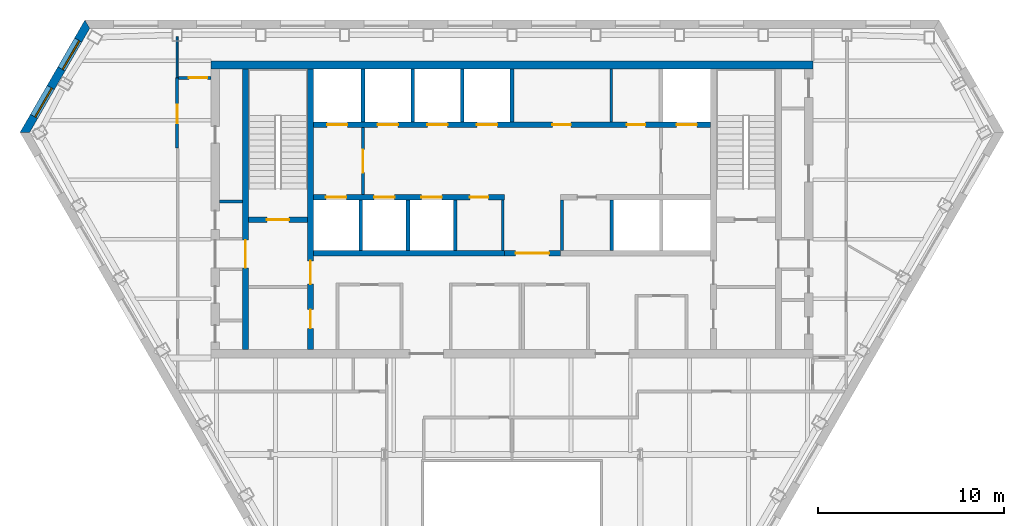
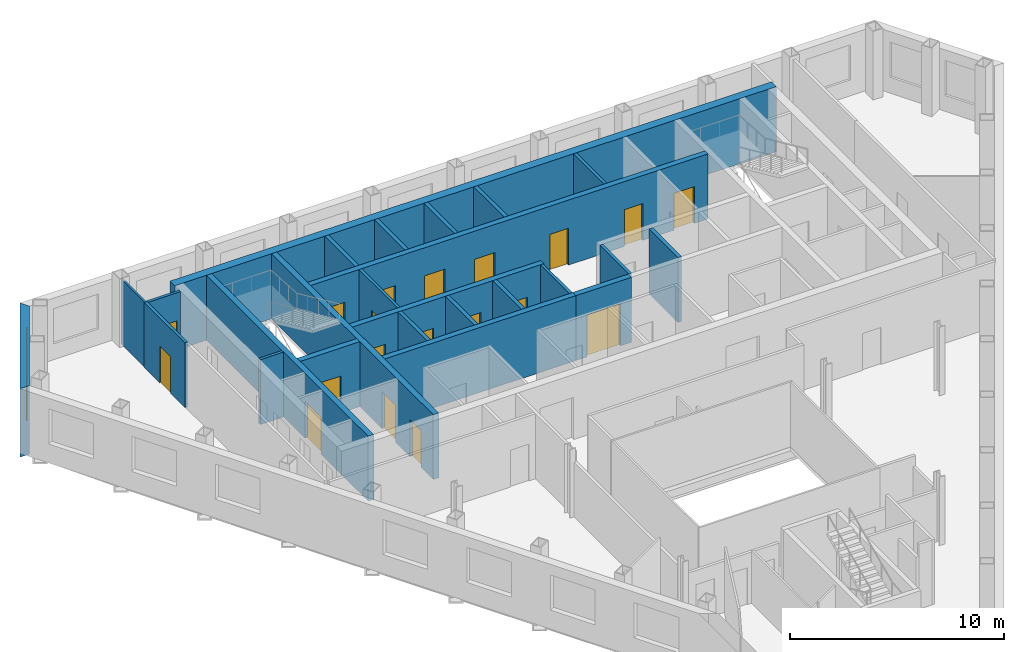
# One storey, part 6 of 11: 25 walls, 19 doors, 2 windows, 21 openings.
"""IFC4 building model written with IfcOpenShell, lengths in metres."""

from ifc_helpers import new_model, si_unit, direction, frame, frame_2d, origin, place, context, subcontext, project, spatial, polyline, rectangle, outline, extrude, material, layer, layer_set, type_object, element, fill, save


model = new_model("IFC4")

# Units and contexts
model_context = context("Model", 3, precision=1e-05, world=origin(), true_north=direction((0.0, 1.0)))
body_context = subcontext(model_context, "Body", "Model", "MODEL_VIEW")
ifc_project = project(units=[si_unit("LENGTHUNIT", "METRE"), si_unit("AREAUNIT", "SQUARE_METRE"), si_unit("VOLUMEUNIT", "CUBIC_METRE"), si_unit("PLANEANGLEUNIT", "RADIAN"), si_unit("MASSUNIT", "GRAM", prefix="KILO")], contexts=[model_context])

# Site, building, storey
site_placement = place(None, origin())
site = spatial("IfcSite", under=ifc_project, at=site_placement, CompositionType="ELEMENT")
building_placement = place(site_placement, origin())
building = spatial("IfcBuilding", under=site, at=building_placement, Name="Njiva Tower", CompositionType="ELEMENT")
storey_placement = place(building_placement, frame((0.0, 0.0, 216.0)))
storey = spatial("IfcBuildingStorey", under=building, at=storey_placement, Name="L48", CompositionType="ELEMENT", Elevation=216.0)

# Walls
ifc_material_1 = material(Name="Blockwork", Category="masonry")
ifc_layer_1 = layer(ifc_material_1, 0.15)
ifc_layer_set_1 = layer_set([ifc_layer_1], Name="Blockwork")
wall_type_1 = type_object("IfcWallType", Name="WT1 Compartment partition 150", PredefinedType="PARTITIONING", material=ifc_layer_set_1)
wall_1_placement = place(storey_placement, frame((5.35, 14.7, 0.0), z_axis=(0.0, 0.0, 1.0), x_axis=(0.0, 1.0, 0.0)))
element("IfcWall", 1, at=wall_1_placement, inside=storey, type_object=wall_type_1, Name="Partition CN6", PredefinedType="PARTITIONING", context=body_context, shape_type="SweptSolid", body=[
    extrude(rectangle(XDim=2.85, YDim=0.15, at=frame_2d((1.425, 0.0))), origin(), (0.0, 0.0, 1.0), 3.7),
])
for number, where, z_axis, x_axis, name in (
    (2, (-0.5, 7.8, 0.0), (0.0, 0.0, 1.0), (0.0, 1.0, 0.0), "Partition CS4"),
    (3, (2.7, 7.8, 0.0), (0.0, 0.0, 1.0), (0.0, 1.0, 0.0), "Partition CS5"),
):
    element("IfcWall", number, at=place(storey_placement, frame(where, z_axis=z_axis, x_axis=x_axis)), inside=storey, type_object=wall_type_1, Name=name, PredefinedType="PARTITIONING", context=body_context, shape_type="SweptSolid", body=[
        extrude(rectangle(XDim=2.7, YDim=0.15, at=frame_2d((1.35, 0.0))), origin(), (0.0, 0.0, 1.0), 3.7),
    ])
wall_2_placement = place(storey_placement, frame((-15.75, 10.4244, 0.0), z_axis=(0.0, 0.0, 1.0), x_axis=(1.0, 0.0, 0.0)))
element("IfcWall", 4, at=wall_2_placement, inside=storey, type_object=wall_type_1, Name="Partition strip W10", PredefinedType="PARTITIONING", context=body_context, shape_type="SweptSolid", body=[
    extrude(rectangle(XDim=1.25, YDim=0.15, at=frame_2d((0.625, 0.0))), origin(), (0.0, 0.0, 1.0), 3.7),
])

# Wall, openings, doors
ifc_material_2 = material(Name="Concrete C40/50", Category="concrete")
ifc_layer_2 = layer(ifc_material_2, 0.3)
ifc_layer_set_2 = layer_set([ifc_layer_2], Name="Concrete C40/50")
wall_type_2 = type_object("IfcWallType", Name="WT10 Stair enclosure wall 300", PredefinedType="SHEAR", material=ifc_layer_set_2)
wall_3_placement = place(storey_placement, frame((-10.85, 2.45, 0.0), z_axis=(0.0, 0.0, 1.0), x_axis=(0.0, 1.0, 0.0)))
wall_3 = element("IfcWall", 5, at=wall_3_placement, inside=storey, type_object=wall_type_2, Name="Stair wall west inner", PredefinedType="SHEAR", context=body_context, shape_type="SweptSolid", body=[
    extrude(rectangle(XDim=15.1, YDim=0.3, at=frame_2d((7.55, 0.0))), origin(), (0.0, 0.0, 1.0), 3.7),
])
opening_1_placement = place(wall_3_placement, frame((3.525, 0.0, 0.0)))
opening_1 = element("IfcOpeningElement", 6, at=opening_1_placement, cuts=wall_3, Name="Opening S16-D915", PredefinedType="OPENING", context=body_context, shape_type="SweptSolid", body=[
    extrude(rectangle(XDim=1.25, YDim=2.1, at=frame_2d((0.625, 1.05))), frame((0.0, 0.16, 0.0), z_axis=(0.0, -1.0, 0.0), x_axis=(1.0, 0.0, 0.0)), (0.0, 0.0, 1.0), 0.32),
])
opening_2_placement = place(wall_3_placement, frame((1.15, 0.0, 0.0)))
opening_2 = element("IfcOpeningElement", 7, at=opening_2_placement, cuts=wall_3, Name="Opening S16-D916", PredefinedType="OPENING", context=body_context, shape_type="SweptSolid", body=[
    extrude(rectangle(XDim=1.0, YDim=2.1, at=frame_2d((0.5, 1.05))), frame((0.0, 0.16, 0.0), z_axis=(0.0, -1.0, 0.0), x_axis=(1.0, 0.0, 0.0)), (0.0, 0.0, 1.0), 0.32),
])
ifc_material_3 = material(Name="Steel door, painted", Category="steel")
door_type_1 = type_object("IfcDoorType", Name="D5 Steel door 1000x2100", OperationType="SINGLE_SWING_LEFT", PredefinedType="DOOR", material=ifc_material_3)
door_1_placement = place(opening_2_placement, origin())
door_1 = element("IfcDoor", 8, at=door_1_placement, inside=storey, type_object=door_type_1, Name="First aid room door", OperationType="SINGLE_SWING_RIGHT", OverallHeight=2.1, OverallWidth=1.0, PredefinedType="DOOR", context=body_context, shape_type="SweptSolid", body=[
    extrude(rectangle(XDim=1.0, YDim=2.1, at=frame_2d((0.5, 1.05))), frame((0.0, 0.025, 0.0), z_axis=(0.0, -1.0, 0.0), x_axis=(1.0, 0.0, 0.0)), (0.0, 0.0, 1.0), 0.05),
])
fill(opening_2, door_1)
ifc_material_4 = material(Name="Glazed steel fire door", Category="steel")
door_type_2 = type_object("IfcDoorType", Name="D8 Vestibule corridor door 1250x2100 glazed", OperationType="SINGLE_SWING_LEFT", PredefinedType="DOOR", material=ifc_material_4)
door_2_placement = place(opening_1_placement, origin())
door_2 = element("IfcDoor", 9, at=door_2_placement, inside=storey, type_object=door_type_2, Name="Stair vestibule corridor door", OperationType="SINGLE_SWING_LEFT", OverallHeight=2.1, OverallWidth=1.25, PredefinedType="DOOR", context=body_context, shape_type="SweptSolid", body=[
    extrude(rectangle(XDim=1.25, YDim=2.1, at=frame_2d((0.625, 1.05))), frame((0.0, 0.025, 0.0), z_axis=(0.0, -1.0, 0.0), x_axis=(1.0, 0.0, 0.0)), (0.0, 0.0, 1.0), 0.05),
])
fill(opening_1, door_2)

# Wall, opening, door
wall_4_placement = place(storey_placement, frame((-14.35, 2.45, 0.0), z_axis=(0.0, 0.0, 1.0), x_axis=(0.0, 1.0, 0.0)))
wall_4 = element("IfcWall", 10, at=wall_4_placement, inside=storey, type_object=wall_type_2, Name="Stair wall west outer", PredefinedType="SHEAR", context=body_context, shape_type="SweptSolid", body=[
    extrude(rectangle(XDim=15.1, YDim=0.3, at=frame_2d((7.55, 0.0))), origin(), (0.0, 0.0, 1.0), 3.7),
])
opening_3_placement = place(wall_4_placement, frame((4.4, 0.0, 0.0)))
opening_3 = element("IfcOpeningElement", 11, at=opening_3_placement, cuts=wall_4, Name="Opening S16-D921", PredefinedType="OPENING", context=body_context, shape_type="SweptSolid", body=[
    extrude(rectangle(XDim=1.5, YDim=2.1, at=frame_2d((0.75, 1.05))), frame((0.0, 0.16, 0.0), z_axis=(0.0, -1.0, 0.0), x_axis=(1.0, 0.0, 0.0)), (0.0, 0.0, 1.0), 0.32),
])
door_type_3 = type_object("IfcDoorType", Name="D10 Exit door double 1500x2100 glazed", OperationType="DOUBLE_DOOR_SINGLE_SWING", PredefinedType="DOOR", material=ifc_material_4)
door_3_placement = place(opening_3_placement, origin())
door_3 = element("IfcDoor", 12, at=door_3_placement, inside=storey, type_object=door_type_3, Name="Stair A passage door", OperationType="DOUBLE_DOOR_SINGLE_SWING", OverallHeight=2.1, OverallWidth=1.5, PredefinedType="DOOR", context=body_context, shape_type="SweptSolid", body=[
    extrude(rectangle(XDim=1.5, YDim=2.1, at=frame_2d((0.75, 1.05))), frame((0.0, 0.025, 0.0), z_axis=(0.0, -1.0, 0.0), x_axis=(1.0, 0.0, 0.0)), (0.0, 0.0, 1.0), 0.05),
])
fill(opening_3, door_3)

wall_5_placement = place(storey_placement, frame((-14.2, 9.45, 0.0), z_axis=(0.0, 0.0, 1.0), x_axis=(1.0, 0.0, 0.0)))
wall_5 = element("IfcWall", 13, at=wall_5_placement, inside=storey, type_object=wall_type_2, Name="Stair A south wall", PredefinedType="SHEAR", context=body_context, shape_type="SweptSolid", body=[
    extrude(rectangle(XDim=3.2, YDim=0.3, at=frame_2d((1.6, 0.0))), origin(), (0.0, 0.0, 1.0), 3.7),
])
opening_4_placement = place(wall_5_placement, frame((1.0, 0.0, 0.0)))
opening_4 = element("IfcOpeningElement", 14, at=opening_4_placement, cuts=wall_5, Name="Opening S16-D914", PredefinedType="OPENING", context=body_context, shape_type="SweptSolid", body=[
    extrude(rectangle(XDim=1.2, YDim=2.1, at=frame_2d((0.6, 1.05))), frame((0.0, 0.16, 0.0), z_axis=(0.0, -1.0, 0.0), x_axis=(1.0, 0.0, 0.0)), (0.0, 0.0, 1.0), 0.32),
])
door_type_4 = type_object("IfcDoorType", Name="D7 Stair vestibule door 1200x2100 glazed", OperationType="SINGLE_SWING_LEFT", PredefinedType="DOOR", material=ifc_material_4)
door_4_placement = place(opening_4_placement, origin())
door_4 = element("IfcDoor", 15, at=door_4_placement, inside=storey, type_object=door_type_4, Name="Stair A door", OperationType="SINGLE_SWING_LEFT", OverallHeight=2.1, OverallWidth=1.2, PredefinedType="DOOR", context=body_context, shape_type="SweptSolid", body=[
    extrude(rectangle(XDim=1.2, YDim=2.1, at=frame_2d((0.6, 1.05))), frame((0.0, 0.025, 0.0), z_axis=(0.0, -1.0, 0.0), x_axis=(1.0, 0.0, 0.0)), (0.0, 0.0, 1.0), 0.05),
])
fill(opening_4, door_4)

# Wall
ifc_material_5 = material(Name="Concrete C60/75", Category="concrete")
ifc_layer_3 = layer(ifc_material_5, 0.45)
ifc_layer_set_3 = layer_set([ifc_layer_3], Name="Concrete C60/75")
wall_type_3 = type_object("IfcWallType", Name="WT12 Core wall 450", PredefinedType="SHEAR", material=ifc_layer_set_3)
wall_6_placement = place(storey_placement, frame((-16.2, 17.775, 0.0), z_axis=(0.0, 0.0, 1.0), x_axis=(1.0, 0.0, 0.0)))
element("IfcWall", 16, at=wall_6_placement, inside=storey, type_object=wall_type_3, Name="Core wall north", PredefinedType="SHEAR", context=body_context, shape_type="SweptSolid", body=[
    extrude(rectangle(XDim=32.4, YDim=0.45, at=frame_2d((16.2, 0.0))), origin(), (0.0, 0.0, 1.0), 3.7),
])

# Wall, opening, door
ifc_layer_4 = layer(ifc_material_1, 0.15)
ifc_layer_set_4 = layer_set([ifc_layer_4], Name="Blockwork")
wall_type_4 = type_object("IfcWallType", Name="WT2 Lobby partition 150", PredefinedType="PARTITIONING", material=ifc_layer_set_4)
wall_7_placement = place(storey_placement, frame((-8.025, 10.8, 0.0), z_axis=(0.0, 0.0, 1.0), x_axis=(0.0, 1.0, 0.0)))
wall_7 = element("IfcWall", 17, at=wall_7_placement, inside=storey, type_object=wall_type_4, Name="Firefighting lobby wall A", PredefinedType="PARTITIONING", context=body_context, shape_type="SweptSolid", body=[
    extrude(rectangle(XDim=3.6, YDim=0.15, at=frame_2d((1.8, 0.0))), origin(), (0.0, 0.0, 1.0), 3.7),
])
opening_5_placement = place(wall_7_placement, frame((1.175, 0.0, 0.0)))
opening_5 = element("IfcOpeningElement", 18, at=opening_5_placement, cuts=wall_7, Name="Opening S16-D913", PredefinedType="OPENING", context=body_context, shape_type="SweptSolid", body=[
    extrude(rectangle(XDim=1.25, YDim=2.1, at=frame_2d((0.625, 1.05))), frame((0.0, 0.085, 0.0), z_axis=(0.0, -1.0, 0.0), x_axis=(1.0, 0.0, 0.0)), (0.0, 0.0, 1.0), 0.17),
])
door_5_placement = place(opening_5_placement, origin())
door_5 = element("IfcDoor", 19, at=door_5_placement, inside=storey, type_object=door_type_2, Name="Stair vestibule corridor door", OperationType="SINGLE_SWING_RIGHT", OverallHeight=2.1, OverallWidth=1.25, PredefinedType="DOOR", context=body_context, shape_type="SweptSolid", body=[
    extrude(rectangle(XDim=1.25, YDim=2.1, at=frame_2d((0.625, 1.05))), frame((0.0, 0.025, 0.0), z_axis=(0.0, -1.0, 0.0), x_axis=(1.0, 0.0, 0.0)), (0.0, 0.0, 1.0), 0.05),
])
fill(opening_5, door_5)

# Wall
ifc_material_6 = material(Name="Gypsum board on steel studs", Category="gypsum")
ifc_layer_5 = layer(ifc_material_6, 0.1)
ifc_layer_set_5 = layer_set([ifc_layer_5], Name="Gypsum board on steel studs")
wall_type_5 = type_object("IfcWallType", Name="WT20 Gypsum partition 100", PredefinedType="PARTITIONING", material=ifc_layer_set_5)
wall_8_placement = place(storey_placement, frame((-18.034, 17.091, 0.0), z_axis=(0.0, 0.0, 1.0), x_axis=(0.0, 1.0, 0.0)))
element("IfcWall", 20, at=wall_8_placement, inside=storey, type_object=wall_type_5, Name="Partition S16-P002", PredefinedType="PARTITIONING", context=body_context, shape_type="SweptSolid", body=[
    extrude(rectangle(XDim=2.209, YDim=0.1, at=frame_2d((1.1045, 0.0))), origin(), (0.0, 0.0, 1.0), 3.7),
])

# Wall, opening, door
ifc_layer_6 = layer(ifc_material_6, 0.15)
ifc_layer_set_6 = layer_set([ifc_layer_6], Name="Gypsum board on steel studs")
wall_type_6 = type_object("IfcWallType", Name="WT21 Compartment wall 150", PredefinedType="PARTITIONING", material=ifc_layer_set_6)
wall_9_placement = place(storey_placement, frame((-18.034, 13.3, 0.0), z_axis=(0.0, 0.0, 1.0), x_axis=(0.0, 1.0, 0.0)))
wall_9 = element("IfcWall", 21, at=wall_9_placement, inside=storey, type_object=wall_type_6, Name="Partition S16-P001", PredefinedType="PARTITIONING", context=body_context, shape_type="SweptSolid", body=[
    extrude(rectangle(XDim=3.791, YDim=0.15, at=frame_2d((1.8955, 0.0))), origin(), (0.0, 0.0, 1.0), 3.7),
])
opening_6_placement = place(wall_9_placement, frame((1.344, 0.0, 0.0)))
opening_6 = element("IfcOpeningElement", 22, at=opening_6_placement, cuts=wall_9, Name="Opening S16-D001", PredefinedType="OPENING", context=body_context, shape_type="SweptSolid", body=[
    extrude(rectangle(XDim=1.0, YDim=2.1, at=frame_2d((0.5, 1.05))), frame((0.0, 0.085, 0.0), z_axis=(0.0, -1.0, 0.0), x_axis=(1.0, 0.0, 0.0)), (0.0, 0.0, 1.0), 0.17),
])
ifc_material_7 = material(Name="Steel fire door set", Category="steel")
door_type_5 = type_object("IfcDoorType", Name="D37 Fire door 1000x2100", OperationType="SINGLE_SWING_LEFT", PredefinedType="DOOR", material=ifc_material_7)
door_6_placement = place(opening_6_placement, origin())
door_6 = element("IfcDoor", 23, at=door_6_placement, inside=storey, type_object=door_type_5, Name="Door S16-D001", OperationType="SINGLE_SWING_RIGHT", OverallHeight=2.1, OverallWidth=1.0, PredefinedType="DOOR", context=body_context, shape_type="SweptSolid", body=[
    extrude(rectangle(XDim=1.0, YDim=2.1, at=frame_2d((0.5, 1.05))), frame((0.0, 0.025, 0.0), z_axis=(0.0, -1.0, 0.0), x_axis=(1.0, 0.0, 0.0)), (0.0, 0.0, 1.0), 0.05),
])
fill(opening_6, door_6)

wall_10_placement = place(storey_placement, frame((-17.959, 17.079, 0.0), z_axis=(0.0, 0.0, 1.0), x_axis=(1.0, 0.0, 0.0)))
wall_10 = element("IfcWall", 24, at=wall_10_placement, inside=storey, type_object=wall_type_6, Name="Partition S16-P004", PredefinedType="PARTITIONING", context=body_context, shape_type="SweptSolid", body=[
    extrude(rectangle(XDim=1.759, YDim=0.15, at=frame_2d((0.8795, 0.0))), origin(), (0.0, 0.0, 1.0), 3.7),
])
opening_7_placement = place(wall_10_placement, frame((0.559, 0.0, 0.0)))
opening_7 = element("IfcOpeningElement", 25, at=opening_7_placement, cuts=wall_10, Name="Opening S16-D003", PredefinedType="OPENING", context=body_context, shape_type="SweptSolid", body=[
    extrude(rectangle(XDim=1.0, YDim=2.1, at=frame_2d((0.5, 1.05))), frame((0.0, 0.085, 0.0), z_axis=(0.0, -1.0, 0.0), x_axis=(1.0, 0.0, 0.0)), (0.0, 0.0, 1.0), 0.17),
])
door_7_placement = place(opening_7_placement, origin())
door_7 = element("IfcDoor", 26, at=door_7_placement, inside=storey, type_object=door_type_5, Name="Door S16-D003", OperationType="SINGLE_SWING_LEFT", OverallHeight=2.1, OverallWidth=1.0, PredefinedType="DOOR", context=body_context, shape_type="SweptSolid", body=[
    extrude(rectangle(XDim=1.0, YDim=2.1, at=frame_2d((0.5, 1.05))), frame((0.0, 0.025, 0.0), z_axis=(0.0, -1.0, 0.0), x_axis=(1.0, 0.0, 0.0)), (0.0, 0.0, 1.0), 0.05),
])
fill(opening_7, door_7)

ifc_layer_7 = layer(ifc_material_1, 0.3)
ifc_layer_set_7 = layer_set([ifc_layer_7], Name="Blockwork")
wall_type_7 = type_object("IfcWallType", Name="WT5 Lobby partition 300", PredefinedType="PARTITIONING", material=ifc_layer_set_7)
wall_11_placement = place(storey_placement, frame((-0.4, 7.65, 0.0), z_axis=(0.0, 0.0, 1.0), x_axis=(1.0, 0.0, 0.0)))
wall_11 = element("IfcWall", 27, at=wall_11_placement, inside=storey, type_object=wall_type_7, Name="Lift lobby screen wall", PredefinedType="PARTITIONING", context=body_context, shape_type="SweptSolid", body=[
    extrude(rectangle(XDim=3.0, YDim=0.3, at=frame_2d((1.5, 0.0))), origin(), (0.0, 0.0, 1.0), 3.7),
])
opening_8_placement = place(wall_11_placement, frame((0.6, 0.0, 0.0)))
opening_8 = element("IfcOpeningElement", 28, at=opening_8_placement, cuts=wall_11, Name="Opening S16-D937", PredefinedType="OPENING", context=body_context, shape_type="SweptSolid", body=[
    extrude(rectangle(XDim=1.8, YDim=2.4, at=frame_2d((0.9, 1.2))), frame((0.0, 0.16, 0.0), z_axis=(0.0, -1.0, 0.0), x_axis=(1.0, 0.0, 0.0)), (0.0, 0.0, 1.0), 0.32),
])
ifc_material_8 = material(Name="Steel and glass door", Category="steel")
door_type_6 = type_object("IfcDoorType", Name="D3 Core entrance door 1800x2400", OperationType="DOUBLE_DOOR_SINGLE_SWING", PredefinedType="DOOR", material=ifc_material_8)
door_8_placement = place(opening_8_placement, origin())
door_8 = element("IfcDoor", 29, at=door_8_placement, inside=storey, type_object=door_type_6, Name="Core entrance door", OperationType="DOUBLE_DOOR_SINGLE_SWING", OverallHeight=2.4, OverallWidth=1.8, PredefinedType="DOOR", context=body_context, shape_type="SweptSolid", body=[
    extrude(rectangle(XDim=1.8, YDim=2.4, at=frame_2d((0.9, 1.2))), frame((0.0, 0.025, 0.0), z_axis=(0.0, -1.0, 0.0), x_axis=(1.0, 0.0, 0.0)), (0.0, 0.0, 1.0), 0.05),
])
fill(opening_8, door_8)

# Walls
ifc_layer_8 = layer(ifc_material_2, 0.2)
ifc_layer_set_8 = layer_set([ifc_layer_8], Name="Concrete C40/50")
wall_type_8 = type_object("IfcWallType", Name="WT6 Lift shaft wall 200", PredefinedType="SHEAR", material=ifc_layer_set_8)
for number, where, z_axis, x_axis, name in (
    (30, (-8.025, 14.7, 0.0), (0.0, 0.0, 1.0), (0.0, 1.0, 0.0), "Shaft wall CN1"),
    (31, (-5.35, 14.7, 0.0), (0.0, 0.0, 1.0), (0.0, 1.0, 0.0), "Shaft wall CN2"),
    (32, (-2.675, 14.7, 0.0), (0.0, 0.0, 1.0), (0.0, 1.0, 0.0), "Shaft wall CN3"),
    (33, (0.0, 14.7, 0.0), (0.0, 0.0, 1.0), (0.0, 1.0, 0.0), "Shaft wall CN4"),
):
    element("IfcWall", number, at=place(storey_placement, frame(where, z_axis=z_axis, x_axis=x_axis)), inside=storey, type_object=wall_type_8, Name=name, PredefinedType="SHEAR", context=body_context, shape_type="SweptSolid", body=[
        extrude(rectangle(XDim=2.85, YDim=0.2, at=frame_2d((1.425, 0.0))), origin(), (0.0, 0.0, 1.0), 3.7),
    ])
for number, where, z_axis, x_axis, name in (
    (34, (-8.15, 7.8, 0.0), (0.0, 0.0, 1.0), (0.0, 1.0, 0.0), "Shaft wall CS1"),
    (35, (-5.6, 7.8, 0.0), (0.0, 0.0, 1.0), (0.0, 1.0, 0.0), "Shaft wall CS2"),
    (36, (-3.05, 7.8, 0.0), (0.0, 0.0, 1.0), (0.0, 1.0, 0.0), "Shaft wall CS3"),
    (37, (5.3667, 7.8, 0.0), (0.0, 0.0, 1.0), (0.0, 1.0, 0.0), "Shaft wall CS6"),
):
    element("IfcWall", number, at=place(storey_placement, frame(where, z_axis=z_axis, x_axis=x_axis)), inside=storey, type_object=wall_type_8, Name=name, PredefinedType="SHEAR", context=body_context, shape_type="SweptSolid", body=[
        extrude(rectangle(XDim=2.7, YDim=0.2, at=frame_2d((1.35, 0.0))), origin(), (0.0, 0.0, 1.0), 3.7),
    ])

# Wall, openings, doors
ifc_layer_9 = layer(ifc_material_2, 0.3)
ifc_layer_set_9 = layer_set([ifc_layer_9], Name="Concrete C40/50")
wall_type_9 = type_object("IfcWallType", Name="WT7 Lift shaft wall 300", PredefinedType="SHEAR", material=ifc_layer_set_9)
wall_12_placement = place(storey_placement, frame((-10.7, 14.55, 0.0), z_axis=(0.0, 0.0, 1.0), x_axis=(1.0, 0.0, 0.0)))
wall_12 = element("IfcWall", 38, at=wall_12_placement, inside=storey, type_object=wall_type_9, Name="Shaft wall north row lobby side", PredefinedType="SHEAR", context=body_context, shape_type="SweptSolid", body=[
    extrude(rectangle(XDim=21.4, YDim=0.3, at=frame_2d((10.7, 0.0))), origin(), (0.0, 0.0, 1.0), 3.7),
])
opening_9_placement = place(wall_12_placement, frame((0.7375, 0.0, 0.0)))
opening_9 = element("IfcOpeningElement", 39, at=opening_9_placement, cuts=wall_12, Name="Opening S16-D901", PredefinedType="OPENING", context=body_context, shape_type="SweptSolid", body=[
    extrude(rectangle(XDim=1.1, YDim=2.1, at=frame_2d((0.55, 1.05))), frame((0.0, 0.16, 0.0), z_axis=(0.0, -1.0, 0.0), x_axis=(1.0, 0.0, 0.0)), (0.0, 0.0, 1.0), 0.32),
])
opening_10_placement = place(wall_12_placement, frame((3.4625, 0.0, 0.0)))
opening_10 = element("IfcOpeningElement", 40, at=opening_10_placement, cuts=wall_12, Name="Opening S16-D902", PredefinedType="OPENING", context=body_context, shape_type="SweptSolid", body=[
    extrude(rectangle(XDim=1.1, YDim=2.1, at=frame_2d((0.55, 1.05))), frame((0.0, 0.16, 0.0), z_axis=(0.0, -1.0, 0.0), x_axis=(1.0, 0.0, 0.0)), (0.0, 0.0, 1.0), 0.32),
])
opening_11_placement = place(wall_12_placement, frame((6.1375, 0.0, 0.0)))
opening_11 = element("IfcOpeningElement", 41, at=opening_11_placement, cuts=wall_12, Name="Opening S16-D903", PredefinedType="OPENING", context=body_context, shape_type="SweptSolid", body=[
    extrude(rectangle(XDim=1.1, YDim=2.1, at=frame_2d((0.55, 1.05))), frame((0.0, 0.16, 0.0), z_axis=(0.0, -1.0, 0.0), x_axis=(1.0, 0.0, 0.0)), (0.0, 0.0, 1.0), 0.32),
])
opening_12_placement = place(wall_12_placement, frame((8.8125, 0.0, 0.0)))
opening_12 = element("IfcOpeningElement", 42, at=opening_12_placement, cuts=wall_12, Name="Opening S16-D904", PredefinedType="OPENING", context=body_context, shape_type="SweptSolid", body=[
    extrude(rectangle(XDim=1.1, YDim=2.1, at=frame_2d((0.55, 1.05))), frame((0.0, 0.16, 0.0), z_axis=(0.0, -1.0, 0.0), x_axis=(1.0, 0.0, 0.0)), (0.0, 0.0, 1.0), 0.32),
])
opening_13_placement = place(wall_12_placement, frame((19.5625, 0.0, 0.0)))
opening_13 = element("IfcOpeningElement", 43, at=opening_13_placement, cuts=wall_12, Name="Opening S16-D905", PredefinedType="OPENING", context=body_context, shape_type="SweptSolid", body=[
    extrude(rectangle(XDim=1.1, YDim=2.1, at=frame_2d((0.55, 1.05))), frame((0.0, 0.16, 0.0), z_axis=(0.0, -1.0, 0.0), x_axis=(1.0, 0.0, 0.0)), (0.0, 0.0, 1.0), 0.32),
])
opening_14_placement = place(wall_12_placement, frame((12.875, 0.0, 0.0)))
opening_14 = element("IfcOpeningElement", 44, at=opening_14_placement, cuts=wall_12, Name="Opening S16-D909", PredefinedType="OPENING", context=body_context, shape_type="SweptSolid", body=[
    extrude(rectangle(XDim=1.0, YDim=2.1, at=frame_2d((0.5, 1.05))), frame((0.0, 0.16, 0.0), z_axis=(0.0, -1.0, 0.0), x_axis=(1.0, 0.0, 0.0)), (0.0, 0.0, 1.0), 0.32),
])
opening_15_placement = place(wall_12_placement, frame((16.8875, 0.0, 0.0)))
opening_15 = element("IfcOpeningElement", 45, at=opening_15_placement, cuts=wall_12, Name="Opening S16-D910", PredefinedType="OPENING", context=body_context, shape_type="SweptSolid", body=[
    extrude(rectangle(XDim=1.0, YDim=2.1, at=frame_2d((0.5, 1.05))), frame((0.0, 0.16, 0.0), z_axis=(0.0, -1.0, 0.0), x_axis=(1.0, 0.0, 0.0)), (0.0, 0.0, 1.0), 0.32),
])
door_9_placement = place(opening_14_placement, origin())
door_9 = element("IfcDoor", 46, at=door_9_placement, inside=storey, type_object=door_type_1, Name="Reading room door", OperationType="SINGLE_SWING_LEFT", OverallHeight=2.1, OverallWidth=1.0, PredefinedType="DOOR", context=body_context, shape_type="SweptSolid", body=[
    extrude(rectangle(XDim=1.0, YDim=2.1, at=frame_2d((0.5, 1.05))), frame((0.0, 0.025, 0.0), z_axis=(0.0, -1.0, 0.0), x_axis=(1.0, 0.0, 0.0)), (0.0, 0.0, 1.0), 0.05),
])
fill(opening_14, door_9)
door_10_placement = place(opening_15_placement, origin())
door_10 = element("IfcDoor", 47, at=door_10_placement, inside=storey, type_object=door_type_1, Name="Business centre door", OperationType="SINGLE_SWING_LEFT", OverallHeight=2.1, OverallWidth=1.0, PredefinedType="DOOR", context=body_context, shape_type="SweptSolid", body=[
    extrude(rectangle(XDim=1.0, YDim=2.1, at=frame_2d((0.5, 1.05))), frame((0.0, 0.025, 0.0), z_axis=(0.0, -1.0, 0.0), x_axis=(1.0, 0.0, 0.0)), (0.0, 0.0, 1.0), 0.05),
])
fill(opening_15, door_10)
ifc_material_9 = material(Name="Stainless steel sliding door", Category="steel")
door_type_7 = type_object("IfcDoorType", Name="LD Lift landing door 1100x2100", OperationType="SLIDING_TO_LEFT", PredefinedType="DOOR", material=ifc_material_9)
door_11_placement = place(opening_9_placement, origin())
door_11 = element("IfcDoor", 48, at=door_11_placement, inside=storey, type_object=door_type_7, Name="Lift landing door FF1", OperationType="SLIDING_TO_LEFT", OverallHeight=2.1, OverallWidth=1.1, PredefinedType="DOOR", context=body_context, shape_type="SweptSolid", body=[
    extrude(rectangle(XDim=1.1, YDim=2.1, at=frame_2d((0.55, 1.05))), frame((0.0, 0.025, 0.0), z_axis=(0.0, -1.0, 0.0), x_axis=(1.0, 0.0, 0.0)), (0.0, 0.0, 1.0), 0.05),
])
fill(opening_9, door_11)
door_12_placement = place(opening_10_placement, origin())
door_12 = element("IfcDoor", 49, at=door_12_placement, inside=storey, type_object=door_type_7, Name="Lift landing door MB4", OperationType="SLIDING_TO_LEFT", OverallHeight=2.1, OverallWidth=1.1, PredefinedType="DOOR", context=body_context, shape_type="SweptSolid", body=[
    extrude(rectangle(XDim=1.1, YDim=2.1, at=frame_2d((0.55, 1.05))), frame((0.0, 0.025, 0.0), z_axis=(0.0, -1.0, 0.0), x_axis=(1.0, 0.0, 0.0)), (0.0, 0.0, 1.0), 0.05),
])
fill(opening_10, door_12)
door_13_placement = place(opening_11_placement, origin())
door_13 = element("IfcDoor", 50, at=door_13_placement, inside=storey, type_object=door_type_7, Name="Lift landing door MB5", OperationType="SLIDING_TO_LEFT", OverallHeight=2.1, OverallWidth=1.1, PredefinedType="DOOR", context=body_context, shape_type="SweptSolid", body=[
    extrude(rectangle(XDim=1.1, YDim=2.1, at=frame_2d((0.55, 1.05))), frame((0.0, 0.025, 0.0), z_axis=(0.0, -1.0, 0.0), x_axis=(1.0, 0.0, 0.0)), (0.0, 0.0, 1.0), 0.05),
])
fill(opening_11, door_13)
door_14_placement = place(opening_12_placement, origin())
door_14 = element("IfcDoor", 51, at=door_14_placement, inside=storey, type_object=door_type_7, Name="Lift landing door MB6", OperationType="SLIDING_TO_LEFT", OverallHeight=2.1, OverallWidth=1.1, PredefinedType="DOOR", context=body_context, shape_type="SweptSolid", body=[
    extrude(rectangle(XDim=1.1, YDim=2.1, at=frame_2d((0.55, 1.05))), frame((0.0, 0.025, 0.0), z_axis=(0.0, -1.0, 0.0), x_axis=(1.0, 0.0, 0.0)), (0.0, 0.0, 1.0), 0.05),
])
fill(opening_12, door_14)
door_15_placement = place(opening_13_placement, origin())
door_15 = element("IfcDoor", 52, at=door_15_placement, inside=storey, type_object=door_type_7, Name="Lift landing door FF2", OperationType="SLIDING_TO_LEFT", OverallHeight=2.1, OverallWidth=1.1, PredefinedType="DOOR", context=body_context, shape_type="SweptSolid", body=[
    extrude(rectangle(XDim=1.1, YDim=2.1, at=frame_2d((0.55, 1.05))), frame((0.0, 0.025, 0.0), z_axis=(0.0, -1.0, 0.0), x_axis=(1.0, 0.0, 0.0)), (0.0, 0.0, 1.0), 0.05),
])
fill(opening_13, door_15)

wall_13_placement = place(storey_placement, frame((-10.7, 10.65, 0.0), z_axis=(0.0, 0.0, 1.0), x_axis=(1.0, 0.0, 0.0)))
wall_13 = element("IfcWall", 53, at=wall_13_placement, inside=storey, type_object=wall_type_9, Name="Shaft wall south row lobby side W", PredefinedType="SHEAR", context=body_context, shape_type="SweptSolid", body=[
    extrude(rectangle(XDim=10.3, YDim=0.3, at=frame_2d((5.15, 0.0))), origin(), (0.0, 0.0, 1.0), 3.7),
])
opening_16_placement = place(wall_13_placement, frame((0.675, 0.0, 0.0)))
opening_16 = element("IfcOpeningElement", 54, at=opening_16_placement, cuts=wall_13, Name="Opening S16-D906", PredefinedType="OPENING", context=body_context, shape_type="SweptSolid", body=[
    extrude(rectangle(XDim=1.1, YDim=2.1, at=frame_2d((0.55, 1.05))), frame((0.0, 0.16, 0.0), z_axis=(0.0, -1.0, 0.0), x_axis=(1.0, 0.0, 0.0)), (0.0, 0.0, 1.0), 0.32),
])
opening_17_placement = place(wall_13_placement, frame((3.275, 0.0, 0.0)))
opening_17 = element("IfcOpeningElement", 55, at=opening_17_placement, cuts=wall_13, Name="Opening S16-D907", PredefinedType="OPENING", context=body_context, shape_type="SweptSolid", body=[
    extrude(rectangle(XDim=1.1, YDim=2.1, at=frame_2d((0.55, 1.05))), frame((0.0, 0.16, 0.0), z_axis=(0.0, -1.0, 0.0), x_axis=(1.0, 0.0, 0.0)), (0.0, 0.0, 1.0), 0.32),
])
opening_18_placement = place(wall_13_placement, frame((5.825, 0.0, 0.0)))
opening_18 = element("IfcOpeningElement", 56, at=opening_18_placement, cuts=wall_13, Name="Opening S16-D908", PredefinedType="OPENING", context=body_context, shape_type="SweptSolid", body=[
    extrude(rectangle(XDim=1.1, YDim=2.1, at=frame_2d((0.55, 1.05))), frame((0.0, 0.16, 0.0), z_axis=(0.0, -1.0, 0.0), x_axis=(1.0, 0.0, 0.0)), (0.0, 0.0, 1.0), 0.32),
])
opening_19_placement = place(wall_13_placement, frame((8.425, 0.0, 0.0)))
opening_19 = element("IfcOpeningElement", 57, at=opening_19_placement, cuts=wall_13, Name="Opening S16-D911", PredefinedType="OPENING", context=body_context, shape_type="SweptSolid", body=[
    extrude(rectangle(XDim=1.0, YDim=2.1, at=frame_2d((0.5, 1.05))), frame((0.0, 0.16, 0.0), z_axis=(0.0, -1.0, 0.0), x_axis=(1.0, 0.0, 0.0)), (0.0, 0.0, 1.0), 0.32),
])
door_16_placement = place(opening_19_placement, origin())
door_16 = element("IfcDoor", 58, at=door_16_placement, inside=storey, type_object=door_type_1, Name="Prayer room door", OperationType="SINGLE_SWING_RIGHT", OverallHeight=2.1, OverallWidth=1.0, PredefinedType="DOOR", context=body_context, shape_type="SweptSolid", body=[
    extrude(rectangle(XDim=1.0, YDim=2.1, at=frame_2d((0.5, 1.05))), frame((0.0, 0.025, 0.0), z_axis=(0.0, -1.0, 0.0), x_axis=(1.0, 0.0, 0.0)), (0.0, 0.0, 1.0), 0.05),
])
fill(opening_19, door_16)
door_17_placement = place(opening_16_placement, origin())
door_17 = element("IfcDoor", 59, at=door_17_placement, inside=storey, type_object=door_type_7, Name="Lift landing door MB1", OperationType="SLIDING_TO_LEFT", OverallHeight=2.1, OverallWidth=1.1, PredefinedType="DOOR", context=body_context, shape_type="SweptSolid", body=[
    extrude(rectangle(XDim=1.1, YDim=2.1, at=frame_2d((0.55, 1.05))), frame((0.0, 0.025, 0.0), z_axis=(0.0, -1.0, 0.0), x_axis=(1.0, 0.0, 0.0)), (0.0, 0.0, 1.0), 0.05),
])
fill(opening_16, door_17)
door_18_placement = place(opening_17_placement, origin())
door_18 = element("IfcDoor", 60, at=door_18_placement, inside=storey, type_object=door_type_7, Name="Lift landing door MB2", OperationType="SLIDING_TO_LEFT", OverallHeight=2.1, OverallWidth=1.1, PredefinedType="DOOR", context=body_context, shape_type="SweptSolid", body=[
    extrude(rectangle(XDim=1.1, YDim=2.1, at=frame_2d((0.55, 1.05))), frame((0.0, 0.025, 0.0), z_axis=(0.0, -1.0, 0.0), x_axis=(1.0, 0.0, 0.0)), (0.0, 0.0, 1.0), 0.05),
])
fill(opening_17, door_18)
door_19_placement = place(opening_18_placement, origin())
door_19 = element("IfcDoor", 61, at=door_19_placement, inside=storey, type_object=door_type_7, Name="Lift landing door MB3", OperationType="SLIDING_TO_LEFT", OverallHeight=2.1, OverallWidth=1.1, PredefinedType="DOOR", context=body_context, shape_type="SweptSolid", body=[
    extrude(rectangle(XDim=1.1, YDim=2.1, at=frame_2d((0.55, 1.05))), frame((0.0, 0.025, 0.0), z_axis=(0.0, -1.0, 0.0), x_axis=(1.0, 0.0, 0.0)), (0.0, 0.0, 1.0), 0.05),
])
fill(opening_18, door_19)

# Wall
wall_14_placement = place(storey_placement, frame((-10.7, 7.65, 0.0), z_axis=(0.0, 0.0, 1.0), x_axis=(1.0, 0.0, 0.0)))
element("IfcWall", 62, at=wall_14_placement, inside=storey, type_object=wall_type_9, Name="Shaft wall south row back W", PredefinedType="SHEAR", context=body_context, shape_type="SweptSolid", body=[
    extrude(rectangle(XDim=10.3, YDim=0.3, at=frame_2d((5.15, 0.0))), origin(), (0.0, 0.0, 1.0), 3.7),
])

# Wall, openings, windows
ifc_material_10 = material(Name="Brick masonry, buff", Category="masonry")
ifc_layer_10 = layer(ifc_material_10, 0.45)
ifc_layer_set_10 = layer_set([ifc_layer_10], Name="Brick masonry, buff")
wall_type_10 = type_object("IfcWallType", Name="WT94 Brick pier and spandrel wall 450, buff", PredefinedType="SOLIDWALL", material=ifc_layer_set_10)
wall_15_placement = place(storey_placement, frame((-22.8713, 19.9728, -0.4), z_axis=(0.0, 0.0, 1.0), x_axis=(-0.500004118585, -0.866023025905, 0.0)))
wall_15 = element("IfcWall", 63, at=wall_15_placement, inside=storey, type_object=wall_type_10, Name="Facade wall NW", PredefinedType="SOLIDWALL", context=body_context, shape_type="SweptSolid", body=[
    extrude(outline(polyline([(-0.1299, -0.225), (6.85, -0.225), (6.5902, 0.225), (0.1299, 0.225), (-0.1299, -0.225)])), origin(), (0.0, 0.0, 1.0), 3.9),
])
opening_20_placement = place(wall_15_placement, frame((0.9844, 0.0, 1.3)))
opening_20 = element("IfcOpeningElement", 64, at=opening_20_placement, cuts=wall_15, Name="Opening S16-W10", PredefinedType="OPENING", context=body_context, shape_type="SweptSolid", body=[
    extrude(rectangle(XDim=1.8, YDim=2.0, at=frame_2d((0.9, 1.0))), frame((0.0, 0.235, 0.0), z_axis=(0.0, -1.0, 0.0), x_axis=(1.0, 0.0, 0.0)), (0.0, 0.0, 1.0), 0.47),
])
opening_21_placement = place(wall_15_placement, frame((3.9357, 0.0, 1.3)))
opening_21 = element("IfcOpeningElement", 65, at=opening_21_placement, cuts=wall_15, Name="Opening S16-W11", PredefinedType="OPENING", context=body_context, shape_type="SweptSolid", body=[
    extrude(rectangle(XDim=1.8, YDim=2.0, at=frame_2d((0.9, 1.0))), frame((0.0, 0.235, 0.0), z_axis=(0.0, -1.0, 0.0), x_axis=(1.0, 0.0, 0.0)), (0.0, 0.0, 1.0), 0.47),
])
ifc_material_11 = material(Name="Clear glazing in aluminium frame", Category="aluminium")
window_type = type_object("IfcWindowType", Name="W94 Deep-set window 1800x2000", PartitioningType="SINGLE_PANEL", PredefinedType="WINDOW", material=ifc_material_11)
window_1_placement = place(opening_20_placement, origin())
window_1 = element("IfcWindow", 66, at=window_1_placement, inside=storey, type_object=window_type, Name="Window", OverallHeight=2.0, OverallWidth=1.8, PartitioningType="SINGLE_PANEL", PredefinedType="WINDOW", context=body_context, shape_type="SweptSolid", body=[
    extrude(rectangle(XDim=1.8, YDim=2.0, at=frame_2d((0.9, 1.0))), frame((0.0, 0.105, 0.0), z_axis=(0.0, -1.0, 0.0), x_axis=(1.0, 0.0, 0.0)), (0.0, 0.0, 1.0), 0.06),
])
fill(opening_20, window_1)
window_2_placement = place(opening_21_placement, origin())
window_2 = element("IfcWindow", 67, at=window_2_placement, inside=storey, type_object=window_type, Name="Window", OverallHeight=2.0, OverallWidth=1.8, PartitioningType="SINGLE_PANEL", PredefinedType="WINDOW", context=body_context, shape_type="SweptSolid", body=[
    extrude(rectangle(XDim=1.8, YDim=2.0, at=frame_2d((0.9, 1.0))), frame((0.0, 0.105, 0.0), z_axis=(0.0, -1.0, 0.0), x_axis=(1.0, 0.0, 0.0)), (0.0, 0.0, 1.0), 0.06),
])
fill(opening_21, window_2)

save(model, "model.ifc")
